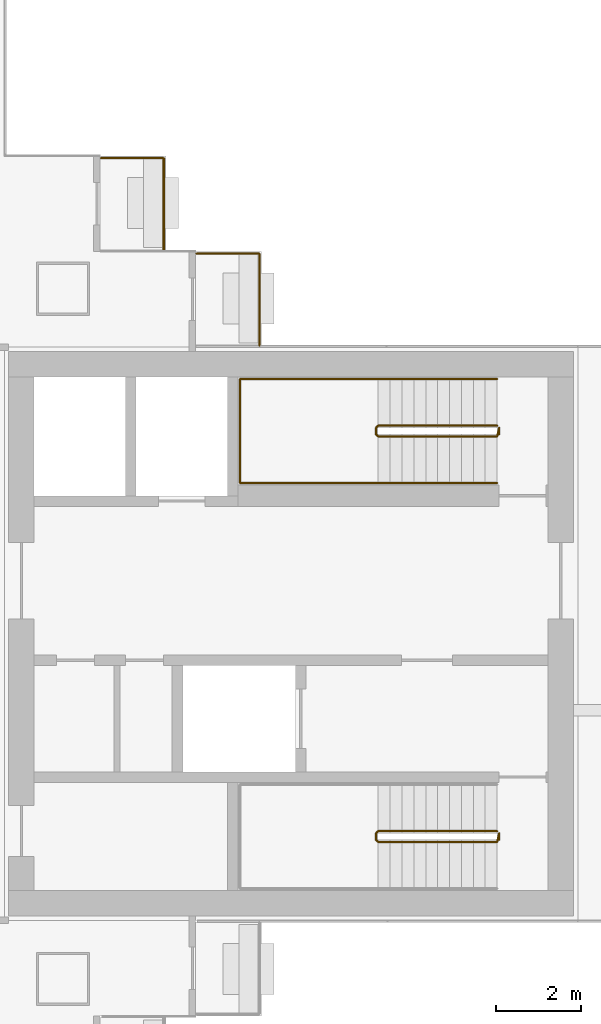
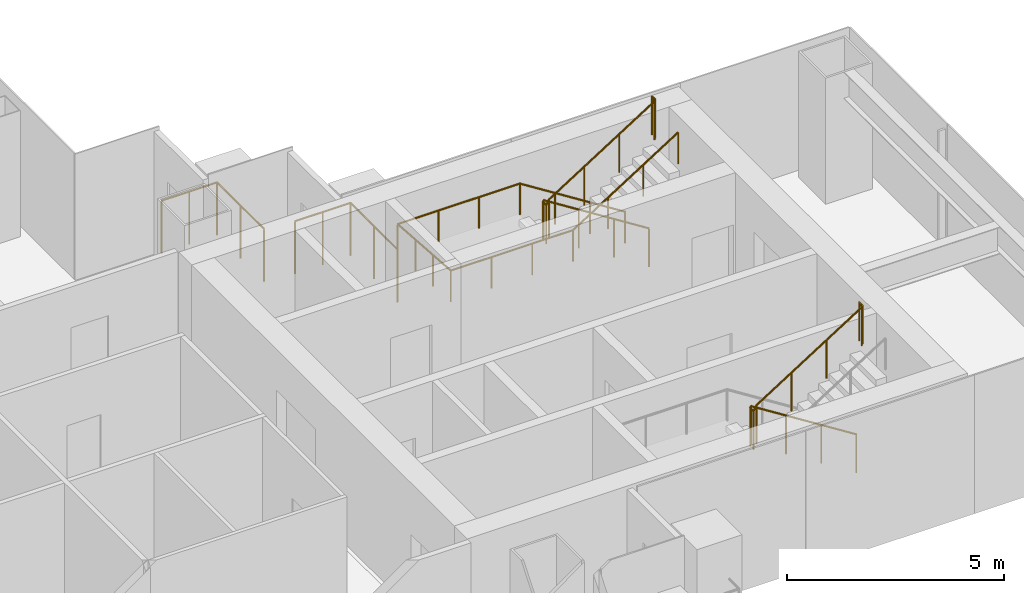
# One storey, part 18 of 19: 5 railings.
"""IFC4 building model written with IfcOpenShell, lengths in metres."""

from ifc_helpers import new_model, si_unit, direction, frame, origin, origin_2d, place, context, subcontext, project, spatial, circle, extrude, material, type_object, element, save


model = new_model("IFC4")

# Units and contexts
model_context = context("Model", 3, precision=1e-05, world=origin(), true_north=direction((0.0, 1.0)))
body_context = subcontext(model_context, "Body", "Model", "MODEL_VIEW")
ifc_project = project(units=[si_unit("LENGTHUNIT", "METRE"), si_unit("AREAUNIT", "SQUARE_METRE"), si_unit("VOLUMEUNIT", "CUBIC_METRE"), si_unit("PLANEANGLEUNIT", "RADIAN"), si_unit("MASSUNIT", "GRAM", prefix="KILO")], contexts=[model_context])

# Site, building, storey
site_placement = place(None, origin())
site = spatial("IfcSite", under=ifc_project, at=site_placement, CompositionType="ELEMENT")
building_placement = place(site_placement, origin())
building = spatial("IfcBuilding", under=site, at=building_placement, Name="Shamsa Quay Exchange Towers", CompositionType="ELEMENT")
storey_placement = place(building_placement, frame((0.0, 0.0, 93.60009765625)))
storey = spatial("IfcBuildingStorey", under=building, at=storey_placement, Name="L21", CompositionType="ELEMENT", Elevation=93.60009765625)

# Railings
ifc_material_1 = material(Name="Steel S355, black powder-coated", Category="steel")
railing_type_1 = type_object("IfcRailingType", Name="BALCONY GUARD 1500", PredefinedType="GUARDRAIL", material=ifc_material_1)
for number, where, name in (
    (1, (44.25, 9.0380859375, 0.0), "Balcony guard T2-PKES L21"),
    (2, (46.5, 6.7880859375, 0.0), "Balcony guard T2-PKES L21"),
):
    element("IfcRailing", number, at=place(storey_placement, frame(where)), inside=storey, type_object=railing_type_1, Name=name, PredefinedType="GUARDRAIL", context=body_context, shape_type="SweptSolid", body=[
        extrude(circle(Radius=0.02392578125, at=origin_2d()), frame((0.0, 0.0, 1.47607421875), z_axis=(0.0, 1.0, 0.0), x_axis=(-1.0, 0.0, 0.0)), (0.0, 0.0, 1.0), 2.161865234375),
        extrude(circle(Radius=0.02392578125, at=origin_2d()), frame((0.0, 2.161865234375, 1.47607421875), z_axis=(-1.0, 0.0, 0.0), x_axis=(0.0, -1.0, 0.0)), (0.0, 0.0, 1.0), 1.47900390625),
        extrude(circle(Radius=0.02099609375, at=origin_2d()), origin(), (0.0, 0.0, 1.0), 1.451904296875),
        extrude(circle(Radius=0.02099609375, at=origin_2d()), frame((0.0, 1.0810546875, 0.0)), (0.0, 0.0, 1.0), 1.451904296875),
        extrude(circle(Radius=0.02099609375, at=origin_2d()), frame((0.0, 2.161865234375, 0.0)), (0.0, 0.0, 1.0), 1.451904296875),
        extrude(circle(Radius=0.02099609375, at=origin_2d()), frame((-0.739501953125, 2.161865234375, 0.0)), (0.0, 0.0, 1.0), 1.451904296875),
        extrude(circle(Radius=0.02099609375, at=origin_2d()), frame((-1.47900390625, 2.161865234375, 0.0)), (0.0, 0.0, 1.0), 1.451904296875),
    ])
ifc_material_2 = material(Name="Stainless steel", Category="steel")
railing_type_2 = type_object("IfcRailingType", Name="STAIR GUARD 1100", PredefinedType="GUARDRAIL", material=ifc_material_2)
railing_1_placement = place(storey_placement, frame((52.10009765625, -4.64990234375, 0.17724609375)))
element("IfcRailing", 3, at=railing_1_placement, inside=storey, type_object=railing_type_2, Name="L21 ST5 stair guard 1", PredefinedType="GUARDRAIL", context=body_context, shape_type="SweptSolid", body=[
    extrude(circle(Radius=0.02392578125, at=origin_2d()), frame((0.0, 0.0, 1.076171875), z_axis=(-0.844908973607, 0.0, 0.534910110503), x_axis=(0.0, -1.0, 0.0)), (0.0, 0.0, 1.0), 3.31396484375),
    extrude(circle(Radius=0.02392578125, at=origin_2d()), frame((-2.800048828125, 0.0, 2.8486328125), z_axis=(-0.707106781187, -0.707106781187, 0.0), x_axis=(0.707106781187, -0.707106781187, 0.0)), (0.0, 0.0, 1.0), 0.07080078125),
    extrude(circle(Radius=0.02392578125, at=origin_2d()), frame((-2.85009765625, -0.050048828125, 2.8486328125), z_axis=(0.0, -1.0, 0.0), x_axis=(1.0, 0.0, 0.0)), (0.0, 0.0, 1.0), 0.150146484375),
    extrude(circle(Radius=0.02392578125, at=origin_2d()), frame((-2.85009765625, -0.2001953125, 2.8486328125), z_axis=(0.262321481514, -0.261041864531, 0.929001929653), x_axis=(0.705375805398, 0.708833529934, 0.0)), (0.0, 0.0, 1.0), 0.190673828125),
    extrude(circle(Radius=0.02392578125, at=origin_2d()), frame((-2.800048828125, -0.25, 3.02587890625), z_axis=(0.844908973607, 0.0, 0.534910110503), x_axis=(0.0, 1.0, 0.0)), (0.0, 0.0, 1.0), 3.31396484375),
    extrude(circle(Radius=0.02392578125, at=origin_2d()), frame((0.0, -0.25, 4.798828125), z_axis=(0.241699205484, 0.970351222016, 0.0), x_axis=(-0.970351222016, 0.241699205484, 0.0)), (0.0, 0.0, 1.0), 0.2060546875),
    extrude(circle(Radius=0.02392578125, at=origin_2d()), frame((0.0498046875, -0.050048828125, 4.798828125), z_axis=(0.0, -1.0, 0.0), x_axis=(1.0, 0.0, 0.0)), (0.0, 0.0, 1.0), 0.150146484375),
    extrude(circle(Radius=0.02099609375, at=origin_2d()), origin(), (0.0, 0.0, 1.0), 1.052001953125),
    extrude(circle(Radius=0.02099609375, at=origin_2d()), frame((-0.933349609375, 0.0, 0.5908203125)), (0.0, 0.0, 1.0), 1.052001953125),
    extrude(circle(Radius=0.02099609375, at=origin_2d()), frame((-1.86669921875, 0.0, 1.181884765625)), (0.0, 0.0, 1.0), 1.052001953125),
    extrude(circle(Radius=0.02099609375, at=origin_2d()), frame((-2.800048828125, 0.0, 1.772705078125)), (0.0, 0.0, 1.0), 1.052001953125),
    extrude(circle(Radius=0.02099609375, at=origin_2d()), frame((-2.85009765625, -0.050048828125, 1.772705078125)), (0.0, 0.0, 1.0), 1.052001953125),
    extrude(circle(Radius=0.02099609375, at=origin_2d()), frame((-2.85009765625, -0.2001953125, 1.772705078125)), (0.0, 0.0, 1.0), 1.052001953125),
    extrude(circle(Radius=0.02099609375, at=origin_2d()), frame((-2.800048828125, -0.25, 1.949951171875)), (0.0, 0.0, 1.0), 1.052001953125),
    extrude(circle(Radius=0.02099609375, at=origin_2d()), frame((-1.86669921875, -0.25, 2.540771484375)), (0.0, 0.0, 1.0), 1.052001953125),
    extrude(circle(Radius=0.02099609375, at=origin_2d()), frame((-0.933349609375, -0.25, 3.1318359375)), (0.0, 0.0, 1.0), 1.052001953125),
    extrude(circle(Radius=0.02099609375, at=origin_2d()), frame((0.0, -0.25, 3.72265625)), (0.0, 0.0, 1.0), 1.052001953125),
    extrude(circle(Radius=0.02099609375, at=origin_2d()), frame((0.0498046875, -0.050048828125, 3.72265625)), (0.0, 0.0, 1.0), 1.052001953125),
    extrude(circle(Radius=0.02099609375, at=origin_2d()), frame((0.0498046875, -0.2001953125, 3.72265625)), (0.0, 0.0, 1.0), 1.052001953125),
])
railing_2_placement = place(storey_placement, frame((52.10009765625, 4.89990234375, 0.17724609375)))
element("IfcRailing", 4, at=railing_2_placement, inside=storey, type_object=railing_type_2, Name="L21 ST6 stair guard 1", PredefinedType="GUARDRAIL", context=body_context, shape_type="SweptSolid", body=[
    extrude(circle(Radius=0.02392578125, at=origin_2d()), frame((0.0, 0.0, 1.076171875), z_axis=(-0.844908973607, 0.0, 0.534910110503), x_axis=(0.0, -1.0, 0.0)), (0.0, 0.0, 1.0), 3.31396484375),
    extrude(circle(Radius=0.02392578125, at=origin_2d()), frame((-2.800048828125, 0.0, 2.8486328125), z_axis=(-0.708833529934, -0.705375805398, 0.0), x_axis=(0.705375805398, -0.708833529934, 0.0)), (0.0, 0.0, 1.0), 0.070556640625),
    extrude(circle(Radius=0.02392578125, at=origin_2d()), frame((-2.85009765625, -0.0498046875, 2.8486328125), z_axis=(0.0, -1.0, 0.0), x_axis=(1.0, 0.0, 0.0)), (0.0, 0.0, 1.0), 0.150146484375),
    extrude(circle(Radius=0.02392578125, at=origin_2d()), frame((-2.85009765625, -0.199951171875, 2.8486328125), z_axis=(0.262233686654, -0.262233686654, 0.928691007369), x_axis=(0.707106781187, 0.707106781187, 0.0)), (0.0, 0.0, 1.0), 0.19091796875),
    extrude(circle(Radius=0.02392578125, at=origin_2d()), frame((-2.800048828125, -0.25, 3.02587890625), z_axis=(0.844908973607, 0.0, 0.534910110503), x_axis=(0.0, 1.0, 0.0)), (0.0, 0.0, 1.0), 3.31396484375),
    extrude(circle(Radius=0.02392578125, at=origin_2d()), frame((0.0, -0.25, 4.798828125), z_axis=(0.24142163986, 0.970420317083, 0.0), x_axis=(-0.970420317083, 0.24142163986, 0.0)), (0.0, 0.0, 1.0), 0.206298828125),
    extrude(circle(Radius=0.02392578125, at=origin_2d()), frame((0.0498046875, -0.0498046875, 4.798828125), z_axis=(0.0, -1.0, 0.0), x_axis=(1.0, 0.0, 0.0)), (0.0, 0.0, 1.0), 0.150146484375),
    extrude(circle(Radius=0.02099609375, at=origin_2d()), origin(), (0.0, 0.0, 1.0), 1.052001953125),
    extrude(circle(Radius=0.02099609375, at=origin_2d()), frame((-0.933349609375, 0.0, 0.5908203125)), (0.0, 0.0, 1.0), 1.052001953125),
    extrude(circle(Radius=0.02099609375, at=origin_2d()), frame((-1.86669921875, 0.0, 1.181884765625)), (0.0, 0.0, 1.0), 1.052001953125),
    extrude(circle(Radius=0.02099609375, at=origin_2d()), frame((-2.800048828125, 0.0, 1.772705078125)), (0.0, 0.0, 1.0), 1.052001953125),
    extrude(circle(Radius=0.02099609375, at=origin_2d()), frame((-2.85009765625, -0.0498046875, 1.772705078125)), (0.0, 0.0, 1.0), 1.052001953125),
    extrude(circle(Radius=0.02099609375, at=origin_2d()), frame((-2.85009765625, -0.199951171875, 1.772705078125)), (0.0, 0.0, 1.0), 1.052001953125),
    extrude(circle(Radius=0.02099609375, at=origin_2d()), frame((-2.800048828125, -0.25, 1.949951171875)), (0.0, 0.0, 1.0), 1.052001953125),
    extrude(circle(Radius=0.02099609375, at=origin_2d()), frame((-1.86669921875, -0.25, 2.540771484375)), (0.0, 0.0, 1.0), 1.052001953125),
    extrude(circle(Radius=0.02099609375, at=origin_2d()), frame((-0.933349609375, -0.25, 3.1318359375)), (0.0, 0.0, 1.0), 1.052001953125),
    extrude(circle(Radius=0.02099609375, at=origin_2d()), frame((0.0, -0.25, 3.72265625)), (0.0, 0.0, 1.0), 1.052001953125),
    extrude(circle(Radius=0.02099609375, at=origin_2d()), frame((0.0498046875, -0.0498046875, 3.72265625)), (0.0, 0.0, 1.0), 1.052001953125),
    extrude(circle(Radius=0.02099609375, at=origin_2d()), frame((0.0498046875, -0.199951171875, 3.72265625)), (0.0, 0.0, 1.0), 1.052001953125),
])
railing_type_3 = type_object("IfcRailingType", Name="STAIR HANDRAIL 900", PredefinedType="HANDRAIL", material=ifc_material_2)
railing_3_placement = place(storey_placement, frame((52.10009765625, 6.0, 0.17724609375)))
element("IfcRailing", 5, at=railing_3_placement, inside=storey, type_object=railing_type_3, Name="L21 ST6 stair handrail 1", PredefinedType="HANDRAIL", context=body_context, shape_type="SweptSolid", body=[
    extrude(circle(Radius=0.02392578125, at=origin_2d()), frame((0.0, 0.0, 0.8759765625), z_axis=(-0.844908973607, 0.0, 0.534910110503), x_axis=(0.0, -1.0, 0.0)), (0.0, 0.0, 1.0), 3.31396484375),
    extrude(circle(Radius=0.02392578125, at=origin_2d()), frame((-2.800048828125, 0.0, 2.6484375), z_axis=(-1.0, 0.0, 0.0), x_axis=(0.0, -1.0, 0.0)), (0.0, 0.0, 1.0), 3.25),
    extrude(circle(Radius=0.02392578125, at=origin_2d()), frame((-6.050048828125, 0.0, 2.6484375), z_axis=(0.0, -0.997393199914, 0.07215819264), x_axis=(1.0, 0.0, 0.0)), (0.0, 0.0, 1.0), 2.456298828125),
    extrude(circle(Radius=0.02392578125, at=origin_2d()), frame((-6.050048828125, -2.449951171875, 2.82568359375), z_axis=(1.0, 0.0, 0.0), x_axis=(0.0, 1.0, 0.0)), (0.0, 0.0, 1.0), 3.25),
    extrude(circle(Radius=0.02392578125, at=origin_2d()), frame((-2.800048828125, -2.449951171875, 2.82568359375), z_axis=(0.844908973607, 0.0, 0.534910110503), x_axis=(0.0, 1.0, 0.0)), (0.0, 0.0, 1.0), 3.31396484375),
    extrude(circle(Radius=0.02099609375, at=origin_2d()), origin(), (0.0, 0.0, 1.0), 0.851806640625),
    extrude(circle(Radius=0.02099609375, at=origin_2d()), frame((-0.933349609375, 0.0, 0.5908203125)), (0.0, 0.0, 1.0), 0.851806640625),
    extrude(circle(Radius=0.02099609375, at=origin_2d()), frame((-1.86669921875, 0.0, 1.181884765625)), (0.0, 0.0, 1.0), 0.851806640625),
    extrude(circle(Radius=0.02099609375, at=origin_2d()), frame((-2.800048828125, 0.0, 1.772705078125)), (0.0, 0.0, 1.0), 0.851806640625),
    extrude(circle(Radius=0.02099609375, at=origin_2d()), frame((-3.88330078125, 0.0, 1.772705078125)), (0.0, 0.0, 1.0), 0.851806640625),
    extrude(circle(Radius=0.02099609375, at=origin_2d()), frame((-4.966796875, 0.0, 1.772705078125)), (0.0, 0.0, 1.0), 0.851806640625),
    extrude(circle(Radius=0.02099609375, at=origin_2d()), frame((-6.050048828125, 0.0, 1.772705078125)), (0.0, 0.0, 1.0), 0.851806640625),
    extrude(circle(Radius=0.02099609375, at=origin_2d()), frame((-6.050048828125, -0.816650390625, 1.831787109375)), (0.0, 0.0, 1.0), 0.851806640625),
    extrude(circle(Radius=0.02099609375, at=origin_2d()), frame((-6.050048828125, -1.63330078125, 1.890869140625)), (0.0, 0.0, 1.0), 0.851806640625),
    extrude(circle(Radius=0.02099609375, at=origin_2d()), frame((-6.050048828125, -2.449951171875, 1.949951171875)), (0.0, 0.0, 1.0), 0.851806640625),
    extrude(circle(Radius=0.02099609375, at=origin_2d()), frame((-4.966796875, -2.449951171875, 1.949951171875)), (0.0, 0.0, 1.0), 0.851806640625),
    extrude(circle(Radius=0.02099609375, at=origin_2d()), frame((-3.88330078125, -2.449951171875, 1.949951171875)), (0.0, 0.0, 1.0), 0.851806640625),
    extrude(circle(Radius=0.02099609375, at=origin_2d()), frame((-2.800048828125, -2.449951171875, 1.949951171875)), (0.0, 0.0, 1.0), 0.851806640625),
    extrude(circle(Radius=0.02099609375, at=origin_2d()), frame((-1.86669921875, -2.449951171875, 2.540771484375)), (0.0, 0.0, 1.0), 0.851806640625),
    extrude(circle(Radius=0.02099609375, at=origin_2d()), frame((-0.933349609375, -2.449951171875, 3.1318359375)), (0.0, 0.0, 1.0), 0.851806640625),
    extrude(circle(Radius=0.02099609375, at=origin_2d()), frame((0.0, -2.449951171875, 3.72265625)), (0.0, 0.0, 1.0), 0.851806640625),
])

save(model, "model.ifc")
